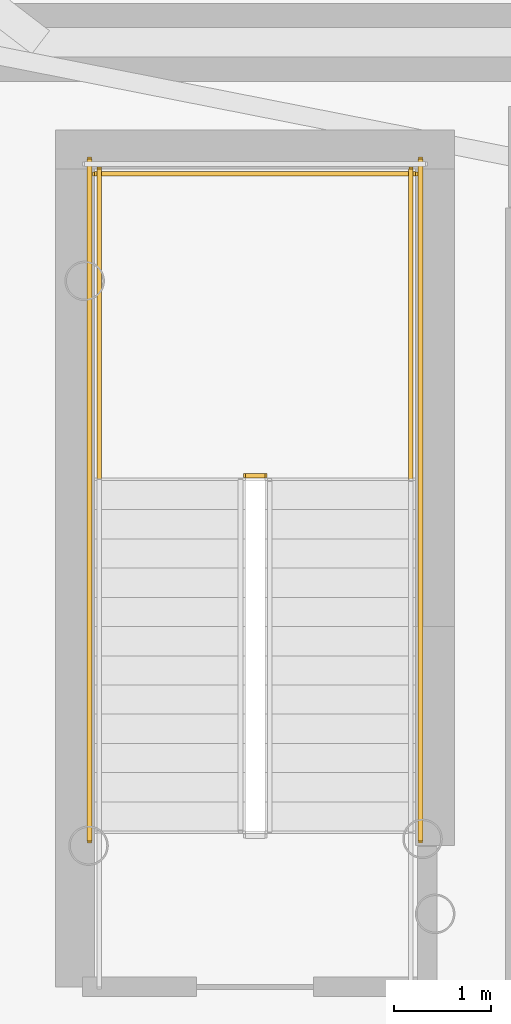
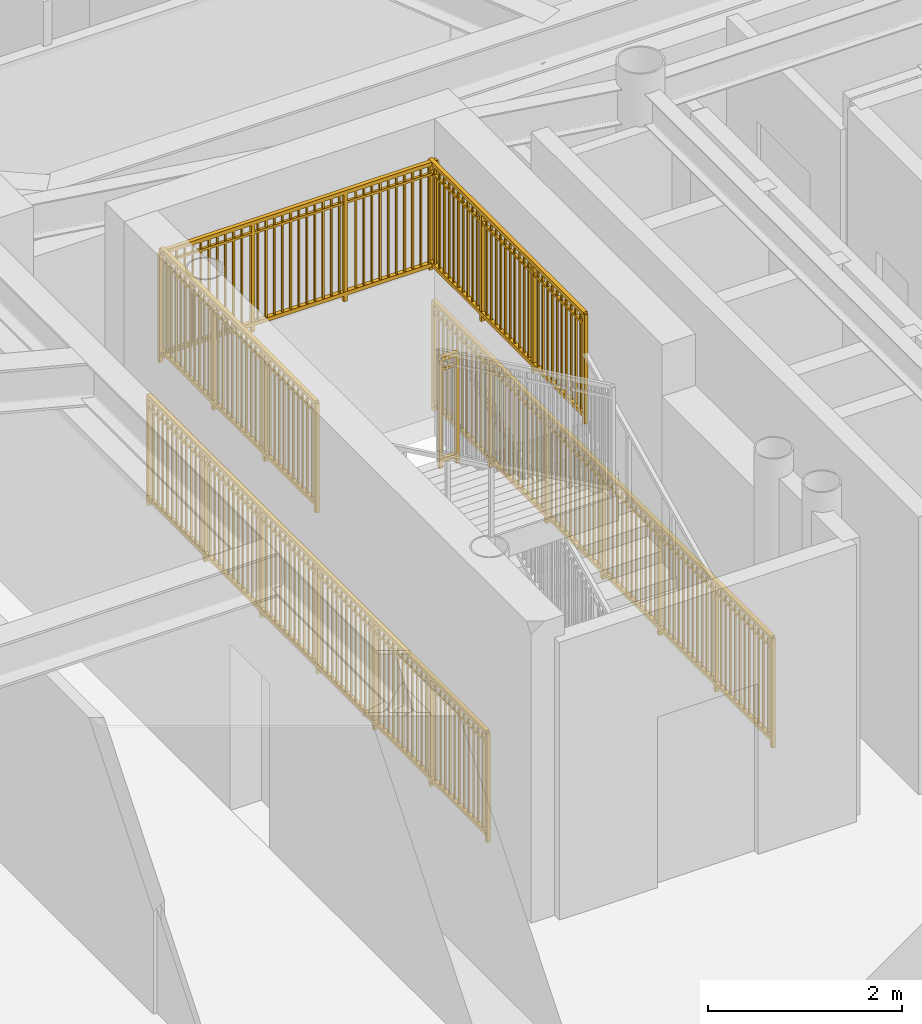
# One storey, part 16 of 19: 6 railings.
"""IFC4 building model written with IfcOpenShell, lengths in metres."""

from ifc_helpers import new_model, si_unit, direction, frame, origin, origin_2d, place, context, subcontext, project, spatial, rectangle, extrude, source, transform, mapped, material, type_object, element, save


model = new_model("IFC4")

# Units and contexts
model_context = context("Model", 3, precision=1e-05, world=origin(), true_north=direction((0.0, 1.0)))
body_context = subcontext(model_context, "Body", "Model", "MODEL_VIEW")
ifc_project = project(units=[si_unit("LENGTHUNIT", "METRE"), si_unit("AREAUNIT", "SQUARE_METRE"), si_unit("VOLUMEUNIT", "CUBIC_METRE"), si_unit("PLANEANGLEUNIT", "RADIAN"), si_unit("MASSUNIT", "GRAM", prefix="KILO")], contexts=[model_context])

# Site, building, storey
site_placement = place(None, origin())
site = spatial("IfcSite", under=ifc_project, at=site_placement, CompositionType="ELEMENT")
building_placement = place(site_placement, origin())
building = spatial("IfcBuilding", under=site, at=building_placement, Name="Linh Dai School and Residence Tower", CompositionType="ELEMENT")
storey_placement = place(building_placement, frame((0.0, 0.0, 112.199951171875)))
storey = spatial("IfcBuildingStorey", under=building, at=storey_placement, Name="L26", CompositionType="ELEMENT", Elevation=112.199951171875)

# Railings
ifc_material = material(Name="Structural Steel S355JR", Category="steel")
railing_type = type_object("IfcRailingType", Name="RL-ST-GUARD-1400", PredefinedType="GUARDRAIL", material=ifc_material)
shared_shape_1 = source(origin(), body_context, "Body", "SweptSolid", [
    extrude(rectangle(XDim=0.048095703125, YDim=0.048095703125, at=origin_2d()), frame((0.0, 0.0, 1.3759765625), z_axis=(-1.0, 0.0, 0.0), x_axis=(0.0, -1.0, 0.0)), (0.0, 0.0, 1.0), 0.199951171875),
    extrude(rectangle(XDim=0.048095703125, YDim=0.048095703125, at=origin_2d()), frame((0.0, 0.0, 0.10009765625), z_axis=(-1.0, 0.0, 0.0), x_axis=(0.0, -1.0, 0.0)), (0.0, 0.0, 1.0), 0.199951171875),
    extrude(rectangle(XDim=0.030029296875, YDim=0.030029296875, at=origin_2d()), frame((0.0, 0.0, 1.239990234375), z_axis=(-1.0, 0.0, 0.0), x_axis=(0.0, -1.0, 0.0)), (0.0, 0.0, 1.0), 0.199951171875),
    extrude(rectangle(XDim=0.0419921875, YDim=0.0419921875, at=origin_2d()), origin(), (0.0, 0.0, 1.0), 1.3759765625),
    extrude(rectangle(XDim=0.0419921875, YDim=0.0419921875, at=origin_2d()), frame((-0.199951171875, 0.0, 0.0)), (0.0, 0.0, 1.0), 1.3759765625),
])
railing_1_placement = place(storey_placement, frame((29.429931640625, 29.35009765625, 1.875)))
element("IfcRailing", 1, at=railing_1_placement, inside=storey, type_object=railing_type, Name="L26 ST1 stair guard 2", PredefinedType="GUARDRAIL", context=body_context, shape_type="MappedRepresentation", body=[
    mapped(shared_shape_1, transform((0.0, 0.0, 0.0), x_axis=(1.0, 0.0, 0.0), y_axis=(0.0, 1.0, 0.0), z_axis=(0.0, 0.0, 1.0), scale=1.0)),
])
shared_shape_2 = source(origin(), body_context, "Body", "SweptSolid", [
    extrude(rectangle(XDim=0.048095703125, YDim=0.048095703125, at=origin_2d()), frame((0.0, 0.0, 1.3759765625), z_axis=(-1.0, 0.0, 0.0), x_axis=(0.0, -1.0, 0.0)), (0.0, 0.0, 1.0), 3.300048828125),
    extrude(rectangle(XDim=0.048095703125, YDim=0.048095703125, at=origin_2d()), frame((0.0, 0.0, 0.10009765625), z_axis=(-1.0, 0.0, 0.0), x_axis=(0.0, -1.0, 0.0)), (0.0, 0.0, 1.0), 3.300048828125),
    extrude(rectangle(XDim=0.030029296875, YDim=0.030029296875, at=origin_2d()), frame((0.0, 0.0, 1.239990234375), z_axis=(-1.0, 0.0, 0.0), x_axis=(0.0, -1.0, 0.0)), (0.0, 0.0, 1.0), 3.300048828125),
    extrude(rectangle(XDim=0.02001953125, YDim=0.02001953125, at=origin_2d()), frame((-0.09716796875, 0.0, 0.10009765625)), (0.0, 0.0, 1.0), 1.251708984375),
    extrude(rectangle(XDim=0.02001953125, YDim=0.02001953125, at=origin_2d()), frame((-0.194091796875, 0.0, 0.10009765625)), (0.0, 0.0, 1.0), 1.251708984375),
    extrude(rectangle(XDim=0.02001953125, YDim=0.02001953125, at=origin_2d()), frame((-0.291259765625, 0.0, 0.10009765625)), (0.0, 0.0, 1.0), 1.251708984375),
    extrude(rectangle(XDim=0.02001953125, YDim=0.02001953125, at=origin_2d()), frame((-0.38818359375, 0.0, 0.10009765625)), (0.0, 0.0, 1.0), 1.251708984375),
    extrude(rectangle(XDim=0.02001953125, YDim=0.02001953125, at=origin_2d()), frame((-0.4853515625, 0.0, 0.10009765625)), (0.0, 0.0, 1.0), 1.251708984375),
    extrude(rectangle(XDim=0.02001953125, YDim=0.02001953125, at=origin_2d()), frame((-0.582275390625, 0.0, 0.10009765625)), (0.0, 0.0, 1.0), 1.251708984375),
    extrude(rectangle(XDim=0.02001953125, YDim=0.02001953125, at=origin_2d()), frame((-0.679443359375, 0.0, 0.10009765625)), (0.0, 0.0, 1.0), 1.251708984375),
    extrude(rectangle(XDim=0.02001953125, YDim=0.02001953125, at=origin_2d()), frame((-0.7763671875, 0.0, 0.10009765625)), (0.0, 0.0, 1.0), 1.251708984375),
    extrude(rectangle(XDim=0.02001953125, YDim=0.02001953125, at=origin_2d()), frame((-0.87353515625, 0.0, 0.10009765625)), (0.0, 0.0, 1.0), 1.251708984375),
    extrude(rectangle(XDim=0.02001953125, YDim=0.02001953125, at=origin_2d()), frame((-0.970703125, 0.0, 0.10009765625)), (0.0, 0.0, 1.0), 1.251708984375),
    extrude(rectangle(XDim=0.02001953125, YDim=0.02001953125, at=origin_2d()), frame((-1.164794921875, 0.0, 0.10009765625)), (0.0, 0.0, 1.0), 1.251708984375),
    extrude(rectangle(XDim=0.02001953125, YDim=0.02001953125, at=origin_2d()), frame((-1.26171875, 0.0, 0.10009765625)), (0.0, 0.0, 1.0), 1.251708984375),
    extrude(rectangle(XDim=0.02001953125, YDim=0.02001953125, at=origin_2d()), frame((-1.35888671875, 0.0, 0.10009765625)), (0.0, 0.0, 1.0), 1.251708984375),
    extrude(rectangle(XDim=0.02001953125, YDim=0.02001953125, at=origin_2d()), frame((-1.455810546875, 0.0, 0.10009765625)), (0.0, 0.0, 1.0), 1.251708984375),
    extrude(rectangle(XDim=0.02001953125, YDim=0.02001953125, at=origin_2d()), frame((-1.552978515625, 0.0, 0.10009765625)), (0.0, 0.0, 1.0), 1.251708984375),
    extrude(rectangle(XDim=0.02001953125, YDim=0.02001953125, at=origin_2d()), frame((-1.64990234375, 0.0, 0.10009765625)), (0.0, 0.0, 1.0), 1.251708984375),
    extrude(rectangle(XDim=0.02001953125, YDim=0.02001953125, at=origin_2d()), frame((-1.7470703125, 0.0, 0.10009765625)), (0.0, 0.0, 1.0), 1.251708984375),
    extrude(rectangle(XDim=0.02001953125, YDim=0.02001953125, at=origin_2d()), frame((-1.84423828125, 0.0, 0.10009765625)), (0.0, 0.0, 1.0), 1.251708984375),
    extrude(rectangle(XDim=0.02001953125, YDim=0.02001953125, at=origin_2d()), frame((-1.941162109375, 0.0, 0.10009765625)), (0.0, 0.0, 1.0), 1.251708984375),
    extrude(rectangle(XDim=0.02001953125, YDim=0.02001953125, at=origin_2d()), frame((-2.038330078125, 0.0, 0.10009765625)), (0.0, 0.0, 1.0), 1.251708984375),
    extrude(rectangle(XDim=0.02001953125, YDim=0.02001953125, at=origin_2d()), frame((-2.13525390625, 0.0, 0.10009765625)), (0.0, 0.0, 1.0), 1.251708984375),
    extrude(rectangle(XDim=0.02001953125, YDim=0.02001953125, at=origin_2d()), frame((-2.329345703125, 0.0, 0.10009765625)), (0.0, 0.0, 1.0), 1.251708984375),
    extrude(rectangle(XDim=0.02001953125, YDim=0.02001953125, at=origin_2d()), frame((-2.426513671875, 0.0, 0.10009765625)), (0.0, 0.0, 1.0), 1.251708984375),
    extrude(rectangle(XDim=0.02001953125, YDim=0.02001953125, at=origin_2d()), frame((-2.523681640625, 0.0, 0.10009765625)), (0.0, 0.0, 1.0), 1.251708984375),
    extrude(rectangle(XDim=0.02001953125, YDim=0.02001953125, at=origin_2d()), frame((-2.62060546875, 0.0, 0.10009765625)), (0.0, 0.0, 1.0), 1.251708984375),
    extrude(rectangle(XDim=0.02001953125, YDim=0.02001953125, at=origin_2d()), frame((-2.7177734375, 0.0, 0.10009765625)), (0.0, 0.0, 1.0), 1.251708984375),
    extrude(rectangle(XDim=0.02001953125, YDim=0.02001953125, at=origin_2d()), frame((-2.814697265625, 0.0, 0.10009765625)), (0.0, 0.0, 1.0), 1.251708984375),
    extrude(rectangle(XDim=0.02001953125, YDim=0.02001953125, at=origin_2d()), frame((-2.911865234375, 0.0, 0.10009765625)), (0.0, 0.0, 1.0), 1.251708984375),
    extrude(rectangle(XDim=0.02001953125, YDim=0.02001953125, at=origin_2d()), frame((-3.0087890625, 0.0, 0.10009765625)), (0.0, 0.0, 1.0), 1.251708984375),
    extrude(rectangle(XDim=0.02001953125, YDim=0.02001953125, at=origin_2d()), frame((-3.10595703125, 0.0, 0.10009765625)), (0.0, 0.0, 1.0), 1.251708984375),
    extrude(rectangle(XDim=0.02001953125, YDim=0.02001953125, at=origin_2d()), frame((-3.202880859375, 0.0, 0.10009765625)), (0.0, 0.0, 1.0), 1.251708984375),
    extrude(rectangle(XDim=0.0419921875, YDim=0.0419921875, at=origin_2d()), origin(), (0.0, 0.0, 1.0), 1.3759765625),
    extrude(rectangle(XDim=0.0419921875, YDim=0.0419921875, at=origin_2d()), frame((-1.10009765625, 0.0, 0.0)), (0.0, 0.0, 1.0), 1.3759765625),
    extrude(rectangle(XDim=0.0419921875, YDim=0.0419921875, at=origin_2d()), frame((-2.199951171875, 0.0, 0.0)), (0.0, 0.0, 1.0), 1.3759765625),
    extrude(rectangle(XDim=0.0419921875, YDim=0.0419921875, at=origin_2d()), frame((-3.300048828125, 0.0, 0.0)), (0.0, 0.0, 1.0), 1.3759765625),
])
railing_2_placement = place(storey_placement, frame((30.97998046875, 32.449951171875, 1.875)))
element("IfcRailing", 2, at=railing_2_placement, inside=storey, type_object=railing_type, Name="L26 ST1 stair guard 5", PredefinedType="GUARDRAIL", context=body_context, shape_type="MappedRepresentation", body=[
    mapped(shared_shape_2, transform((0.0, 0.0, 0.0), x_axis=(1.0, 0.0, 0.0), y_axis=(0.0, 1.0, 0.0), z_axis=(0.0, 0.0, 1.0), scale=1.0)),
])
shared_shape_3 = source(origin(), body_context, "Body", "SweptSolid", [
    extrude(rectangle(XDim=0.048095703125, YDim=0.048095703125, at=origin_2d()), frame((0.0, 0.0, 1.3759765625), z_axis=(0.0, 1.0, 0.0), x_axis=(-1.0, 0.0, 0.0)), (0.0, 0.0, 1.0), 7.0),
    extrude(rectangle(XDim=0.048095703125, YDim=0.048095703125, at=origin_2d()), frame((0.0, 0.0, 0.10009765625), z_axis=(0.0, 1.0, 0.0), x_axis=(-1.0, 0.0, 0.0)), (0.0, 0.0, 1.0), 7.0),
    extrude(rectangle(XDim=0.030029296875, YDim=0.030029296875, at=origin_2d()), frame((0.0, 0.0, 1.239990234375), z_axis=(0.0, 1.0, 0.0), x_axis=(-1.0, 0.0, 0.0)), (0.0, 0.0, 1.0), 7.0),
    extrude(rectangle(XDim=0.02001953125, YDim=0.02001953125, at=origin_2d()), frame((0.0, 0.09716796875, 0.10009765625)), (0.0, 0.0, 1.0), 1.251708984375),
    extrude(rectangle(XDim=0.02001953125, YDim=0.02001953125, at=origin_2d()), frame((0.0, 0.1943359375, 0.10009765625)), (0.0, 0.0, 1.0), 1.251708984375),
    extrude(rectangle(XDim=0.02001953125, YDim=0.02001953125, at=origin_2d()), frame((0.0, 0.291748046875, 0.10009765625)), (0.0, 0.0, 1.0), 1.251708984375),
    extrude(rectangle(XDim=0.02001953125, YDim=0.02001953125, at=origin_2d()), frame((0.0, 0.388916015625, 0.10009765625)), (0.0, 0.0, 1.0), 1.251708984375),
    extrude(rectangle(XDim=0.02001953125, YDim=0.02001953125, at=origin_2d()), frame((0.0, 0.486083984375, 0.10009765625)), (0.0, 0.0, 1.0), 1.251708984375),
    extrude(rectangle(XDim=0.02001953125, YDim=0.02001953125, at=origin_2d()), frame((0.0, 0.583251953125, 0.10009765625)), (0.0, 0.0, 1.0), 1.251708984375),
    extrude(rectangle(XDim=0.02001953125, YDim=0.02001953125, at=origin_2d()), frame((0.0, 0.6806640625, 0.10009765625)), (0.0, 0.0, 1.0), 1.251708984375),
    extrude(rectangle(XDim=0.02001953125, YDim=0.02001953125, at=origin_2d()), frame((0.0, 0.77783203125, 0.10009765625)), (0.0, 0.0, 1.0), 1.251708984375),
    extrude(rectangle(XDim=0.02001953125, YDim=0.02001953125, at=origin_2d()), frame((0.0, 0.875, 0.10009765625)), (0.0, 0.0, 1.0), 1.251708984375),
    extrude(rectangle(XDim=0.02001953125, YDim=0.02001953125, at=origin_2d()), frame((0.0, 0.97216796875, 0.10009765625)), (0.0, 0.0, 1.0), 1.251708984375),
    extrude(rectangle(XDim=0.02001953125, YDim=0.02001953125, at=origin_2d()), frame((0.0, 1.0693359375, 0.10009765625)), (0.0, 0.0, 1.0), 1.251708984375),
    extrude(rectangle(XDim=0.02001953125, YDim=0.02001953125, at=origin_2d()), frame((0.0, 1.263916015625, 0.10009765625)), (0.0, 0.0, 1.0), 1.251708984375),
    extrude(rectangle(XDim=0.02001953125, YDim=0.02001953125, at=origin_2d()), frame((0.0, 1.361083984375, 0.10009765625)), (0.0, 0.0, 1.0), 1.251708984375),
    extrude(rectangle(XDim=0.02001953125, YDim=0.02001953125, at=origin_2d()), frame((0.0, 1.458251953125, 0.10009765625)), (0.0, 0.0, 1.0), 1.251708984375),
    extrude(rectangle(XDim=0.02001953125, YDim=0.02001953125, at=origin_2d()), frame((0.0, 1.5556640625, 0.10009765625)), (0.0, 0.0, 1.0), 1.251708984375),
    extrude(rectangle(XDim=0.02001953125, YDim=0.02001953125, at=origin_2d()), frame((0.0, 1.65283203125, 0.10009765625)), (0.0, 0.0, 1.0), 1.251708984375),
    extrude(rectangle(XDim=0.02001953125, YDim=0.02001953125, at=origin_2d()), frame((0.0, 1.75, 0.10009765625)), (0.0, 0.0, 1.0), 1.251708984375),
    extrude(rectangle(XDim=0.02001953125, YDim=0.02001953125, at=origin_2d()), frame((0.0, 1.84716796875, 0.10009765625)), (0.0, 0.0, 1.0), 1.251708984375),
    extrude(rectangle(XDim=0.02001953125, YDim=0.02001953125, at=origin_2d()), frame((0.0, 1.9443359375, 0.10009765625)), (0.0, 0.0, 1.0), 1.251708984375),
    extrude(rectangle(XDim=0.02001953125, YDim=0.02001953125, at=origin_2d()), frame((0.0, 2.041748046875, 0.10009765625)), (0.0, 0.0, 1.0), 1.251708984375),
    extrude(rectangle(XDim=0.02001953125, YDim=0.02001953125, at=origin_2d()), frame((0.0, 2.138916015625, 0.10009765625)), (0.0, 0.0, 1.0), 1.251708984375),
    extrude(rectangle(XDim=0.02001953125, YDim=0.02001953125, at=origin_2d()), frame((0.0, 2.236083984375, 0.10009765625)), (0.0, 0.0, 1.0), 1.251708984375),
    extrude(rectangle(XDim=0.02001953125, YDim=0.02001953125, at=origin_2d()), frame((0.0, 2.4306640625, 0.10009765625)), (0.0, 0.0, 1.0), 1.251708984375),
    extrude(rectangle(XDim=0.02001953125, YDim=0.02001953125, at=origin_2d()), frame((0.0, 2.52783203125, 0.10009765625)), (0.0, 0.0, 1.0), 1.251708984375),
    extrude(rectangle(XDim=0.02001953125, YDim=0.02001953125, at=origin_2d()), frame((0.0, 2.625, 0.10009765625)), (0.0, 0.0, 1.0), 1.251708984375),
    extrude(rectangle(XDim=0.02001953125, YDim=0.02001953125, at=origin_2d()), frame((0.0, 2.72216796875, 0.10009765625)), (0.0, 0.0, 1.0), 1.251708984375),
    extrude(rectangle(XDim=0.02001953125, YDim=0.02001953125, at=origin_2d()), frame((0.0, 2.8193359375, 0.10009765625)), (0.0, 0.0, 1.0), 1.251708984375),
    extrude(rectangle(XDim=0.02001953125, YDim=0.02001953125, at=origin_2d()), frame((0.0, 2.916748046875, 0.10009765625)), (0.0, 0.0, 1.0), 1.251708984375),
    extrude(rectangle(XDim=0.02001953125, YDim=0.02001953125, at=origin_2d()), frame((0.0, 3.013916015625, 0.10009765625)), (0.0, 0.0, 1.0), 1.251708984375),
    extrude(rectangle(XDim=0.02001953125, YDim=0.02001953125, at=origin_2d()), frame((0.0, 3.111083984375, 0.10009765625)), (0.0, 0.0, 1.0), 1.251708984375),
    extrude(rectangle(XDim=0.02001953125, YDim=0.02001953125, at=origin_2d()), frame((0.0, 3.208251953125, 0.10009765625)), (0.0, 0.0, 1.0), 1.251708984375),
    extrude(rectangle(XDim=0.02001953125, YDim=0.02001953125, at=origin_2d()), frame((0.0, 3.3056640625, 0.10009765625)), (0.0, 0.0, 1.0), 1.251708984375),
    extrude(rectangle(XDim=0.02001953125, YDim=0.02001953125, at=origin_2d()), frame((0.0, 3.40283203125, 0.10009765625)), (0.0, 0.0, 1.0), 1.251708984375),
    extrude(rectangle(XDim=0.02001953125, YDim=0.02001953125, at=origin_2d()), frame((0.0, 3.59716796875, 0.10009765625)), (0.0, 0.0, 1.0), 1.251708984375),
    extrude(rectangle(XDim=0.02001953125, YDim=0.02001953125, at=origin_2d()), frame((0.0, 3.6943359375, 0.10009765625)), (0.0, 0.0, 1.0), 1.251708984375),
    extrude(rectangle(XDim=0.02001953125, YDim=0.02001953125, at=origin_2d()), frame((0.0, 3.791748046875, 0.10009765625)), (0.0, 0.0, 1.0), 1.251708984375),
    extrude(rectangle(XDim=0.02001953125, YDim=0.02001953125, at=origin_2d()), frame((0.0, 3.888916015625, 0.10009765625)), (0.0, 0.0, 1.0), 1.251708984375),
    extrude(rectangle(XDim=0.02001953125, YDim=0.02001953125, at=origin_2d()), frame((0.0, 3.986083984375, 0.10009765625)), (0.0, 0.0, 1.0), 1.251708984375),
    extrude(rectangle(XDim=0.02001953125, YDim=0.02001953125, at=origin_2d()), frame((0.0, 4.083251953125, 0.10009765625)), (0.0, 0.0, 1.0), 1.251708984375),
    extrude(rectangle(XDim=0.02001953125, YDim=0.02001953125, at=origin_2d()), frame((0.0, 4.1806640625, 0.10009765625)), (0.0, 0.0, 1.0), 1.251708984375),
    extrude(rectangle(XDim=0.02001953125, YDim=0.02001953125, at=origin_2d()), frame((0.0, 4.27783203125, 0.10009765625)), (0.0, 0.0, 1.0), 1.251708984375),
    extrude(rectangle(XDim=0.02001953125, YDim=0.02001953125, at=origin_2d()), frame((0.0, 4.375, 0.10009765625)), (0.0, 0.0, 1.0), 1.251708984375),
    extrude(rectangle(XDim=0.02001953125, YDim=0.02001953125, at=origin_2d()), frame((0.0, 4.47216796875, 0.10009765625)), (0.0, 0.0, 1.0), 1.251708984375),
    extrude(rectangle(XDim=0.02001953125, YDim=0.02001953125, at=origin_2d()), frame((0.0, 4.5693359375, 0.10009765625)), (0.0, 0.0, 1.0), 1.251708984375),
    extrude(rectangle(XDim=0.02001953125, YDim=0.02001953125, at=origin_2d()), frame((0.0, 4.763916015625, 0.10009765625)), (0.0, 0.0, 1.0), 1.251708984375),
    extrude(rectangle(XDim=0.02001953125, YDim=0.02001953125, at=origin_2d()), frame((0.0, 4.861083984375, 0.10009765625)), (0.0, 0.0, 1.0), 1.251708984375),
    extrude(rectangle(XDim=0.02001953125, YDim=0.02001953125, at=origin_2d()), frame((0.0, 4.958251953125, 0.10009765625)), (0.0, 0.0, 1.0), 1.251708984375),
    extrude(rectangle(XDim=0.02001953125, YDim=0.02001953125, at=origin_2d()), frame((0.0, 5.0556640625, 0.10009765625)), (0.0, 0.0, 1.0), 1.251708984375),
    extrude(rectangle(XDim=0.02001953125, YDim=0.02001953125, at=origin_2d()), frame((0.0, 5.15283203125, 0.10009765625)), (0.0, 0.0, 1.0), 1.251708984375),
    extrude(rectangle(XDim=0.02001953125, YDim=0.02001953125, at=origin_2d()), frame((0.0, 5.25, 0.10009765625)), (0.0, 0.0, 1.0), 1.251708984375),
    extrude(rectangle(XDim=0.02001953125, YDim=0.02001953125, at=origin_2d()), frame((0.0, 5.34716796875, 0.10009765625)), (0.0, 0.0, 1.0), 1.251708984375),
    extrude(rectangle(XDim=0.02001953125, YDim=0.02001953125, at=origin_2d()), frame((0.0, 5.4443359375, 0.10009765625)), (0.0, 0.0, 1.0), 1.251708984375),
    extrude(rectangle(XDim=0.02001953125, YDim=0.02001953125, at=origin_2d()), frame((0.0, 5.541748046875, 0.10009765625)), (0.0, 0.0, 1.0), 1.251708984375),
    extrude(rectangle(XDim=0.02001953125, YDim=0.02001953125, at=origin_2d()), frame((0.0, 5.638916015625, 0.10009765625)), (0.0, 0.0, 1.0), 1.251708984375),
    extrude(rectangle(XDim=0.02001953125, YDim=0.02001953125, at=origin_2d()), frame((0.0, 5.736083984375, 0.10009765625)), (0.0, 0.0, 1.0), 1.251708984375),
    extrude(rectangle(XDim=0.02001953125, YDim=0.02001953125, at=origin_2d()), frame((0.0, 5.9306640625, 0.10009765625)), (0.0, 0.0, 1.0), 1.251708984375),
    extrude(rectangle(XDim=0.02001953125, YDim=0.02001953125, at=origin_2d()), frame((0.0, 6.02783203125, 0.10009765625)), (0.0, 0.0, 1.0), 1.251708984375),
    extrude(rectangle(XDim=0.02001953125, YDim=0.02001953125, at=origin_2d()), frame((0.0, 6.125, 0.10009765625)), (0.0, 0.0, 1.0), 1.251708984375),
    extrude(rectangle(XDim=0.02001953125, YDim=0.02001953125, at=origin_2d()), frame((0.0, 6.22216796875, 0.10009765625)), (0.0, 0.0, 1.0), 1.251708984375),
    extrude(rectangle(XDim=0.02001953125, YDim=0.02001953125, at=origin_2d()), frame((0.0, 6.3193359375, 0.10009765625)), (0.0, 0.0, 1.0), 1.251708984375),
    extrude(rectangle(XDim=0.02001953125, YDim=0.02001953125, at=origin_2d()), frame((0.0, 6.416748046875, 0.10009765625)), (0.0, 0.0, 1.0), 1.251708984375),
    extrude(rectangle(XDim=0.02001953125, YDim=0.02001953125, at=origin_2d()), frame((0.0, 6.513916015625, 0.10009765625)), (0.0, 0.0, 1.0), 1.251708984375),
    extrude(rectangle(XDim=0.02001953125, YDim=0.02001953125, at=origin_2d()), frame((0.0, 6.611083984375, 0.10009765625)), (0.0, 0.0, 1.0), 1.251708984375),
    extrude(rectangle(XDim=0.02001953125, YDim=0.02001953125, at=origin_2d()), frame((0.0, 6.708251953125, 0.10009765625)), (0.0, 0.0, 1.0), 1.251708984375),
    extrude(rectangle(XDim=0.02001953125, YDim=0.02001953125, at=origin_2d()), frame((0.0, 6.8056640625, 0.10009765625)), (0.0, 0.0, 1.0), 1.251708984375),
    extrude(rectangle(XDim=0.02001953125, YDim=0.02001953125, at=origin_2d()), frame((0.0, 6.90283203125, 0.10009765625)), (0.0, 0.0, 1.0), 1.251708984375),
    extrude(rectangle(XDim=0.0419921875, YDim=0.0419921875, at=origin_2d()), origin(), (0.0, 0.0, 1.0), 1.3759765625),
    extrude(rectangle(XDim=0.0419921875, YDim=0.0419921875, at=origin_2d()), frame((0.0, 1.166748046875, 0.0)), (0.0, 0.0, 1.0), 1.3759765625),
    extrude(rectangle(XDim=0.0419921875, YDim=0.0419921875, at=origin_2d()), frame((0.0, 2.333251953125, 0.0)), (0.0, 0.0, 1.0), 1.3759765625),
    extrude(rectangle(XDim=0.0419921875, YDim=0.0419921875, at=origin_2d()), frame((0.0, 3.5, 0.0)), (0.0, 0.0, 1.0), 1.3759765625),
    extrude(rectangle(XDim=0.0419921875, YDim=0.0419921875, at=origin_2d()), frame((0.0, 4.666748046875, 0.0)), (0.0, 0.0, 1.0), 1.3759765625),
    extrude(rectangle(XDim=0.0419921875, YDim=0.0419921875, at=origin_2d()), frame((0.0, 5.833251953125, 0.0)), (0.0, 0.0, 1.0), 1.3759765625),
    extrude(rectangle(XDim=0.0419921875, YDim=0.0419921875, at=origin_2d()), frame((0.0, 7.0, 0.0)), (0.0, 0.0, 1.0), 1.3759765625),
])
for number, where, name in (
    (3, (31.030029296875, 25.60009765625, 0.0), "L26 ST1 stair guard 10"),
    (4, (27.6298828125, 25.60009765625, 0.0), "L26 ST1 stair guard 11"),
):
    element("IfcRailing", number, at=place(storey_placement, frame(where)), inside=storey, type_object=railing_type, Name=name, PredefinedType="GUARDRAIL", context=body_context, shape_type="MappedRepresentation", body=[
        mapped(shared_shape_3, transform((0.0, 0.0, 0.0), x_axis=(1.0, 0.0, 0.0), y_axis=(0.0, 1.0, 0.0), z_axis=(0.0, 0.0, 1.0), scale=1.0)),
    ])
shared_shape_4 = source(origin(), body_context, "Body", "SweptSolid", [
    extrude(rectangle(XDim=0.048095703125, YDim=0.048095703125, at=origin_2d()), frame((0.0, 0.0, 1.3759765625), z_axis=(0.0, 1.0, 0.0), x_axis=(-1.0, 0.0, 0.0)), (0.0, 0.0, 1.0), 3.199951171875),
    extrude(rectangle(XDim=0.048095703125, YDim=0.048095703125, at=origin_2d()), frame((0.0, 0.0, 0.10009765625), z_axis=(0.0, 1.0, 0.0), x_axis=(-1.0, 0.0, 0.0)), (0.0, 0.0, 1.0), 3.199951171875),
    extrude(rectangle(XDim=0.030029296875, YDim=0.030029296875, at=origin_2d()), frame((0.0, 0.0, 1.239990234375), z_axis=(0.0, 1.0, 0.0), x_axis=(-1.0, 0.0, 0.0)), (0.0, 0.0, 1.0), 3.199951171875),
    extrude(rectangle(XDim=0.02001953125, YDim=0.02001953125, at=origin_2d()), frame((0.0, 0.096923828125, 0.10009765625)), (0.0, 0.0, 1.0), 1.251708984375),
    extrude(rectangle(XDim=0.02001953125, YDim=0.02001953125, at=origin_2d()), frame((0.0, 0.19384765625, 0.10009765625)), (0.0, 0.0, 1.0), 1.251708984375),
    extrude(rectangle(XDim=0.02001953125, YDim=0.02001953125, at=origin_2d()), frame((0.0, 0.291015625, 0.10009765625)), (0.0, 0.0, 1.0), 1.251708984375),
    extrude(rectangle(XDim=0.02001953125, YDim=0.02001953125, at=origin_2d()), frame((0.0, 0.387939453125, 0.10009765625)), (0.0, 0.0, 1.0), 1.251708984375),
    extrude(rectangle(XDim=0.02001953125, YDim=0.02001953125, at=origin_2d()), frame((0.0, 0.48486328125, 0.10009765625)), (0.0, 0.0, 1.0), 1.251708984375),
    extrude(rectangle(XDim=0.02001953125, YDim=0.02001953125, at=origin_2d()), frame((0.0, 0.581787109375, 0.10009765625)), (0.0, 0.0, 1.0), 1.251708984375),
    extrude(rectangle(XDim=0.02001953125, YDim=0.02001953125, at=origin_2d()), frame((0.0, 0.6787109375, 0.10009765625)), (0.0, 0.0, 1.0), 1.251708984375),
    extrude(rectangle(XDim=0.02001953125, YDim=0.02001953125, at=origin_2d()), frame((0.0, 0.775634765625, 0.10009765625)), (0.0, 0.0, 1.0), 1.251708984375),
    extrude(rectangle(XDim=0.02001953125, YDim=0.02001953125, at=origin_2d()), frame((0.0, 0.872802734375, 0.10009765625)), (0.0, 0.0, 1.0), 1.251708984375),
    extrude(rectangle(XDim=0.02001953125, YDim=0.02001953125, at=origin_2d()), frame((0.0, 0.9697265625, 0.10009765625)), (0.0, 0.0, 1.0), 1.251708984375),
    extrude(rectangle(XDim=0.02001953125, YDim=0.02001953125, at=origin_2d()), frame((0.0, 1.16357421875, 0.10009765625)), (0.0, 0.0, 1.0), 1.251708984375),
    extrude(rectangle(XDim=0.02001953125, YDim=0.02001953125, at=origin_2d()), frame((0.0, 1.260498046875, 0.10009765625)), (0.0, 0.0, 1.0), 1.251708984375),
    extrude(rectangle(XDim=0.02001953125, YDim=0.02001953125, at=origin_2d()), frame((0.0, 1.357666015625, 0.10009765625)), (0.0, 0.0, 1.0), 1.251708984375),
    extrude(rectangle(XDim=0.02001953125, YDim=0.02001953125, at=origin_2d()), frame((0.0, 1.45458984375, 0.10009765625)), (0.0, 0.0, 1.0), 1.251708984375),
    extrude(rectangle(XDim=0.02001953125, YDim=0.02001953125, at=origin_2d()), frame((0.0, 1.551513671875, 0.10009765625)), (0.0, 0.0, 1.0), 1.251708984375),
    extrude(rectangle(XDim=0.02001953125, YDim=0.02001953125, at=origin_2d()), frame((0.0, 1.6484375, 0.10009765625)), (0.0, 0.0, 1.0), 1.251708984375),
    extrude(rectangle(XDim=0.02001953125, YDim=0.02001953125, at=origin_2d()), frame((0.0, 1.745361328125, 0.10009765625)), (0.0, 0.0, 1.0), 1.251708984375),
    extrude(rectangle(XDim=0.02001953125, YDim=0.02001953125, at=origin_2d()), frame((0.0, 1.84228515625, 0.10009765625)), (0.0, 0.0, 1.0), 1.251708984375),
    extrude(rectangle(XDim=0.02001953125, YDim=0.02001953125, at=origin_2d()), frame((0.0, 1.939453125, 0.10009765625)), (0.0, 0.0, 1.0), 1.251708984375),
    extrude(rectangle(XDim=0.02001953125, YDim=0.02001953125, at=origin_2d()), frame((0.0, 2.036376953125, 0.10009765625)), (0.0, 0.0, 1.0), 1.251708984375),
    extrude(rectangle(XDim=0.02001953125, YDim=0.02001953125, at=origin_2d()), frame((0.0, 2.230224609375, 0.10009765625)), (0.0, 0.0, 1.0), 1.251708984375),
    extrude(rectangle(XDim=0.02001953125, YDim=0.02001953125, at=origin_2d()), frame((0.0, 2.3271484375, 0.10009765625)), (0.0, 0.0, 1.0), 1.251708984375),
    extrude(rectangle(XDim=0.02001953125, YDim=0.02001953125, at=origin_2d()), frame((0.0, 2.42431640625, 0.10009765625)), (0.0, 0.0, 1.0), 1.251708984375),
    extrude(rectangle(XDim=0.02001953125, YDim=0.02001953125, at=origin_2d()), frame((0.0, 2.521240234375, 0.10009765625)), (0.0, 0.0, 1.0), 1.251708984375),
    extrude(rectangle(XDim=0.02001953125, YDim=0.02001953125, at=origin_2d()), frame((0.0, 2.6181640625, 0.10009765625)), (0.0, 0.0, 1.0), 1.251708984375),
    extrude(rectangle(XDim=0.02001953125, YDim=0.02001953125, at=origin_2d()), frame((0.0, 2.715087890625, 0.10009765625)), (0.0, 0.0, 1.0), 1.251708984375),
    extrude(rectangle(XDim=0.02001953125, YDim=0.02001953125, at=origin_2d()), frame((0.0, 2.81201171875, 0.10009765625)), (0.0, 0.0, 1.0), 1.251708984375),
    extrude(rectangle(XDim=0.02001953125, YDim=0.02001953125, at=origin_2d()), frame((0.0, 2.908935546875, 0.10009765625)), (0.0, 0.0, 1.0), 1.251708984375),
    extrude(rectangle(XDim=0.02001953125, YDim=0.02001953125, at=origin_2d()), frame((0.0, 3.006103515625, 0.10009765625)), (0.0, 0.0, 1.0), 1.251708984375),
    extrude(rectangle(XDim=0.02001953125, YDim=0.02001953125, at=origin_2d()), frame((0.0, 3.10302734375, 0.10009765625)), (0.0, 0.0, 1.0), 1.251708984375),
    extrude(rectangle(XDim=0.0419921875, YDim=0.0419921875, at=origin_2d()), origin(), (0.0, 0.0, 1.0), 1.3759765625),
    extrude(rectangle(XDim=0.0419921875, YDim=0.0419921875, at=origin_2d()), frame((0.0, 1.066650390625, 0.0)), (0.0, 0.0, 1.0), 1.3759765625),
    extrude(rectangle(XDim=0.0419921875, YDim=0.0419921875, at=origin_2d()), frame((0.0, 2.13330078125, 0.0)), (0.0, 0.0, 1.0), 1.3759765625),
    extrude(rectangle(XDim=0.0419921875, YDim=0.0419921875, at=origin_2d()), frame((0.0, 3.199951171875, 0.0)), (0.0, 0.0, 1.0), 1.3759765625),
])
for number, where, name in (
    (5, (30.929931640625, 29.300048828125, 1.875), "L26 ST1 stair guard 3"),
    (6, (27.72998046875, 29.300048828125, 1.875), "L26 ST1 stair guard 4"),
):
    element("IfcRailing", number, at=place(storey_placement, frame(where)), inside=storey, type_object=railing_type, Name=name, PredefinedType="GUARDRAIL", context=body_context, shape_type="MappedRepresentation", body=[
        mapped(shared_shape_4, transform((0.0, 0.0, 0.0), x_axis=(1.0, 0.0, 0.0), y_axis=(0.0, 1.0, 0.0), z_axis=(0.0, 0.0, 1.0), scale=1.0)),
    ])

save(model, "model.ifc")
